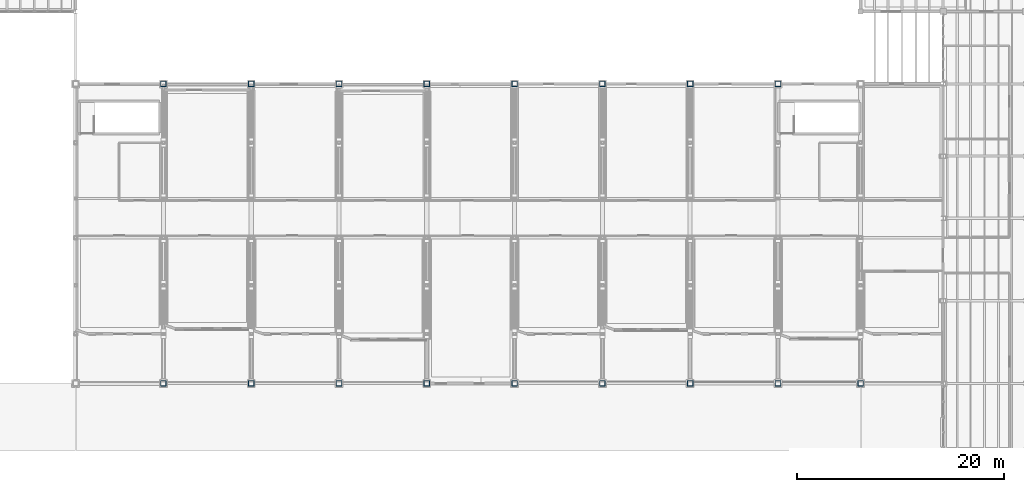
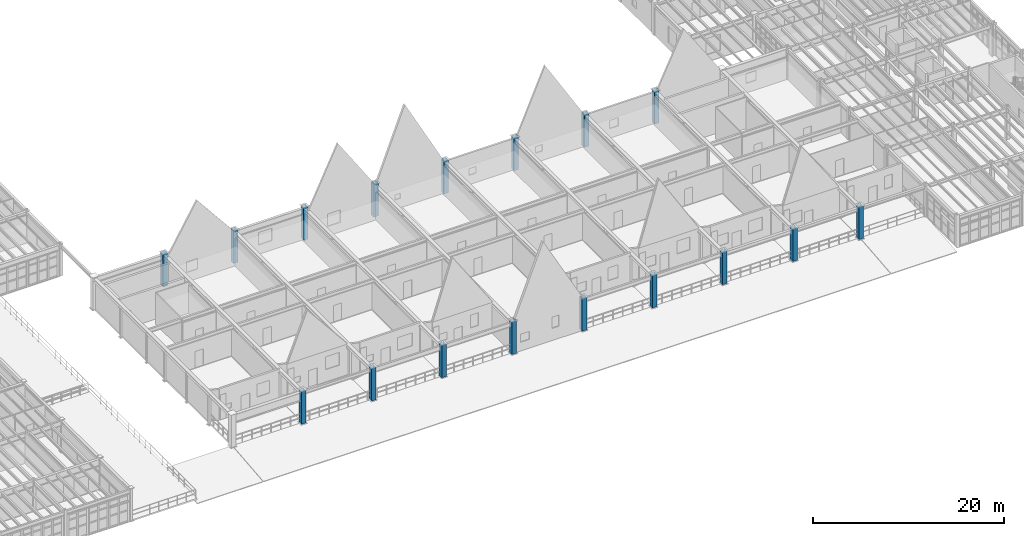
# One storey, part 5 of 78: 17 columns.
"""IFC4 building model written with IfcOpenShell, lengths in metres."""

from ifc_helpers import new_model, si_unit, direction, frame, origin, origin_2d, place, context, subcontext, project, spatial, hollow_rectangle, extrude, material, material_profile, profile_set, type_object, element, save


model = new_model("IFC4")

# Units and contexts
model_context = context("Model", 3, precision=1e-05, world=origin(), true_north=direction((0.0, 1.0)))
body_context = subcontext(model_context, "Body", "Model", "MODEL_VIEW")
ifc_project = project(units=[si_unit("LENGTHUNIT", "METRE"), si_unit("AREAUNIT", "SQUARE_METRE"), si_unit("VOLUMEUNIT", "CUBIC_METRE"), si_unit("PLANEANGLEUNIT", "RADIAN"), si_unit("MASSUNIT", "GRAM", prefix="KILO"), si_unit("THERMODYNAMICTEMPERATUREUNIT", "KELVIN"), si_unit("POWERUNIT", "WATT")], contexts=[model_context])

# Site, building, storey
site_placement = place(None, origin())
site = spatial("IfcSite", under=ifc_project, at=site_placement, CompositionType="ELEMENT")
building_placement = place(site_placement, origin())
building = spatial("IfcBuilding", under=site, at=building_placement, Name="Zhenchuan Central Fire Station", CompositionType="ELEMENT")
storey_placement = place(building_placement, frame((0.0, 0.0, 5.85009765625)))
storey = spatial("IfcBuildingStorey", under=building, at=storey_placement, Name="L02", CompositionType="ELEMENT", Elevation=5.85009765625)

# Columns
ifc_material = material(Name="Steel Q355B", Category="steel")
ifc_material_profile = material_profile(ifc_material, hollow_rectangle(XDim=0.550048828125, YDim=0.550048828125, WallThickness=0.02587890625, at=origin_2d()), Name="BOX 550x550x26")
ifc_profile_set = profile_set([ifc_material_profile], Name="Steel Q355B")
column_type = type_object("IfcColumnType", Name="COL-BOX550", PredefinedType="COLUMN", material=ifc_profile_set)
for number, where, z_axis, x_axis, name in (
    (1, (64.5, 6.5, 0.0), (0.0, 0.0, 1.0), (1.0, 0.0, 0.0), "L02 Column 063"),
    (2, (64.5, 35.5, 0.0), (0.0, 0.0, 1.0), (1.0, 0.0, 0.0), "L02 Column 064"),
    (3, (73.0, 6.5, 0.0), (0.0, 0.0, 1.0), (1.0, 0.0, 0.0), "L02 Column 065"),
    (4, (73.0, 35.5, 0.0), (0.0, 0.0, 1.0), (1.0, 0.0, 0.0), "L02 Column 066"),
    (5, (81.5, 6.5, 0.0), (0.0, 0.0, 1.0), (1.0, 0.0, 0.0), "L02 Column 067"),
    (6, (81.5, 35.5, 0.0), (0.0, 0.0, 1.0), (1.0, 0.0, 0.0), "L02 Column 068"),
    (7, (90.0, 6.5, 0.0), (0.0, 0.0, 1.0), (1.0, 0.0, 0.0), "L02 Column 069"),
    (8, (90.0, 35.5, 0.0), (0.0, 0.0, 1.0), (1.0, 0.0, 0.0), "L02 Column 070"),
    (9, (98.5, 6.5, 0.0), (0.0, 0.0, 1.0), (1.0, 0.0, 0.0), "L02 Column 071"),
    (10, (98.5, 35.5, 0.0), (0.0, 0.0, 1.0), (1.0, 0.0, 0.0), "L02 Column 072"),
    (11, (107.0, 6.5, 0.0), (0.0, 0.0, 1.0), (1.0, 0.0, 0.0), "L02 Column 073"),
    (12, (107.0, 35.5, 0.0), (0.0, 0.0, 1.0), (1.0, 0.0, 0.0), "L02 Column 074"),
    (13, (115.5, 6.5, 0.0), (0.0, 0.0, 1.0), (1.0, 0.0, 0.0), "L02 Column 075"),
    (14, (115.5, 35.5, 0.0), (0.0, 0.0, 1.0), (1.0, 0.0, 0.0), "L02 Column 076"),
    (15, (124.0, 6.5, 0.0), (0.0, 0.0, 1.0), (1.0, 0.0, 0.0), "L02 Column 077"),
    (16, (124.0, 35.5, 0.0), (0.0, 0.0, 1.0), (1.0, 0.0, 0.0), "L02 Column 078"),
    (17, (132.0, 6.5, 0.0), (0.0, 0.0, 1.0), (1.0, 0.0, 0.0), "L02 Column 079"),
):
    element("IfcColumn", number, at=place(storey_placement, frame(where, z_axis=z_axis, x_axis=x_axis)), inside=storey, type_object=column_type, Name=name, PredefinedType="COLUMN", context=body_context, shape_type="SweptSolid", body=[
        extrude(hollow_rectangle(XDim=0.550048828125, YDim=0.550048828125, WallThickness=0.02587890625, at=origin_2d()), origin(), (0.0, 0.0, 1.0), 4.199951171875),
    ])

save(model, "model.ifc")
